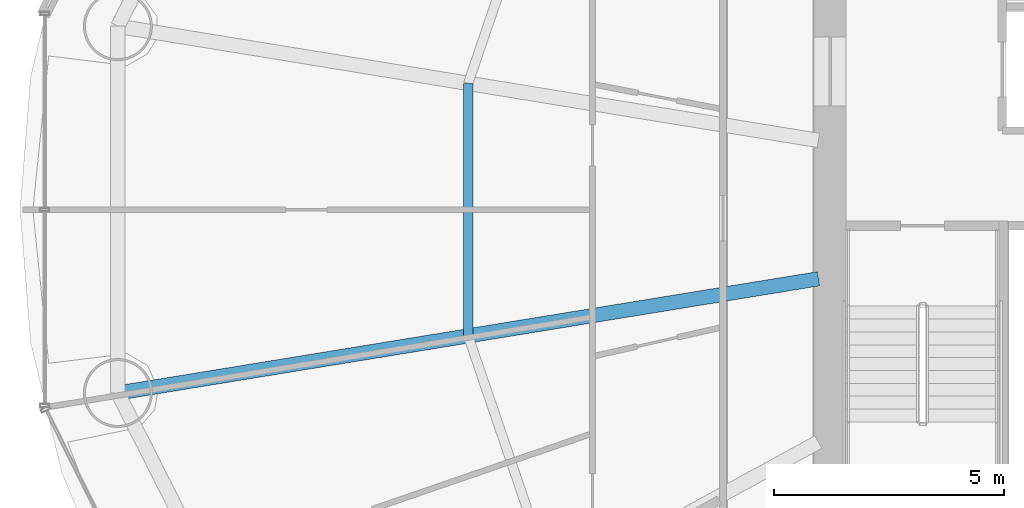
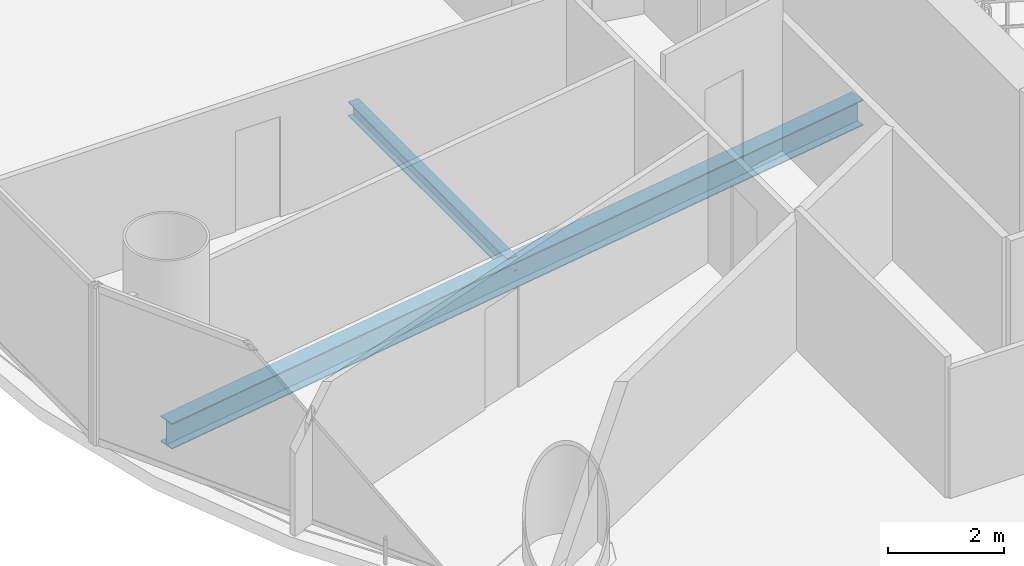
# One storey, part 7 of 28: 2 beams.
"""IFC4 building model written with IfcOpenShell, lengths in metres."""

from ifc_helpers import new_model, si_unit, direction, frame, origin, origin_2d, place, context, subcontext, project, spatial, i_section, extrude, material, material_profile, profile_set, type_object, element, save


model = new_model("IFC4")

# Units and contexts
model_context = context("Model", 3, precision=1e-05, world=origin(), true_north=direction((-0.2419218956, 0.970295726276)))
body_context = subcontext(model_context, "Body", "Model", "MODEL_VIEW")
ifc_project = project(units=[si_unit("LENGTHUNIT", "METRE"), si_unit("AREAUNIT", "SQUARE_METRE"), si_unit("VOLUMEUNIT", "CUBIC_METRE"), si_unit("PLANEANGLEUNIT", "RADIAN"), si_unit("MASSUNIT", "GRAM", prefix="KILO")], contexts=[model_context])

# Site, building, storey
site_placement = place(None, origin())
site = spatial("IfcSite", under=ifc_project, at=site_placement, CompositionType="ELEMENT")
building_placement = place(site_placement, origin())
building = spatial("IfcBuilding", under=site, at=building_placement, Name="Cobrevalo Terracotta Tower", CompositionType="ELEMENT")
storey_placement = place(building_placement, frame((0.0, 0.0, 108.60009765625)))
storey = spatial("IfcBuildingStorey", under=building, at=storey_placement, Name="L28", CompositionType="ELEMENT", Elevation=108.60009765625)

# Beams
ifc_material = material(Name="Steel S355", Category="steel")
ifc_material_profile_1 = material_profile(ifc_material, i_section(OverallWidth=0.31201171875, OverallDepth=0.54296875, WebThickness=0.0126953125, FlangeThickness=0.020263671875, at=origin_2d()), Name="W 530x150")
ifc_profile_set_1 = profile_set([ifc_material_profile_1], Name="Steel S355")
beam_type_1 = type_object("IfcBeamType", Name="Structural Beam W 530x150 (Steel S355)", PredefinedType="BEAM", material=ifc_profile_set_1)
beam_1_placement = place(storey_placement, frame((13.529296875, 22.810302734375, -0.546630859375), z_axis=(0.986968056587, 0.160916298977, 0.0), x_axis=(-0.160916298977, 0.986968056587, 0.0)))
element("IfcBeam", 1, at=beam_1_placement, inside=storey, type_object=beam_type_1, Name="L28 radial floor girder 09", PredefinedType="BEAM", context=body_context, shape_type="SweptSolid", body=[
    extrude(i_section(OverallWidth=0.31201171875, OverallDepth=0.54296875, WebThickness=0.0126953125, FlangeThickness=0.020263671875, at=origin_2d()), origin(), (0.0, 0.0, 1.0), 15.44189453125),
])
ifc_material_profile_2 = material_profile(ifc_material, i_section(OverallWidth=0.2041015625, OverallDepth=0.305908203125, WebThickness=0.008544921875, FlangeThickness=0.0146484375, at=origin_2d()), Name="W 310x67")
ifc_profile_set_2 = profile_set([ifc_material_profile_2], Name="Steel S355")
beam_type_2 = type_object("IfcBeamType", Name="Structural Joist W 310x67 (Steel S355)", PredefinedType="JOIST", material=ifc_profile_set_2)
beam_2_placement = place(storey_placement, frame((21.149658203125, 29.547119140625, -0.427978515625), z_axis=(0.0, -1.0, 0.0), x_axis=(1.0, 0.0, 0.0)))
element("IfcBeam", 2, at=beam_2_placement, inside=storey, type_object=beam_type_2, Name="L28 circumferential secondary floor joist 08", PredefinedType="JOIST", context=body_context, shape_type="SweptSolid", body=[
    extrude(i_section(OverallWidth=0.2041015625, OverallDepth=0.305908203125, WebThickness=0.008544921875, FlangeThickness=0.0146484375, at=origin_2d()), origin(), (0.0, 0.0, 1.0), 5.494384765625),
])

save(model, "model.ifc")
